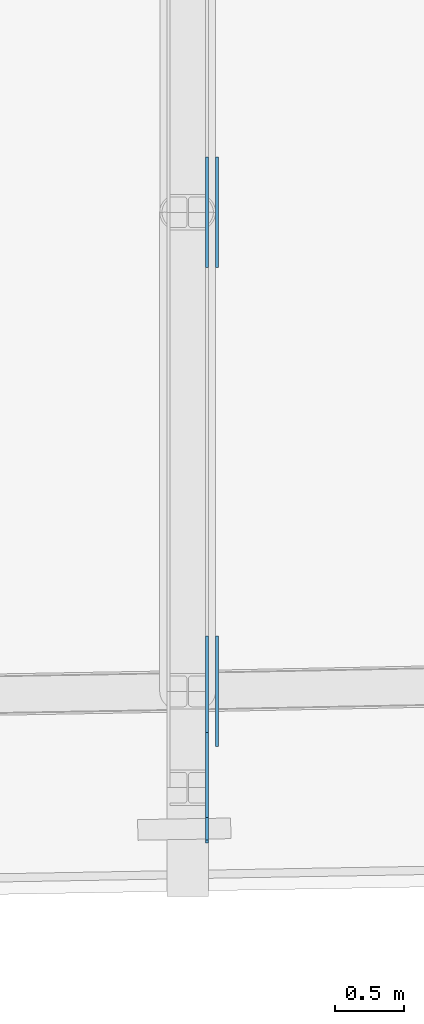
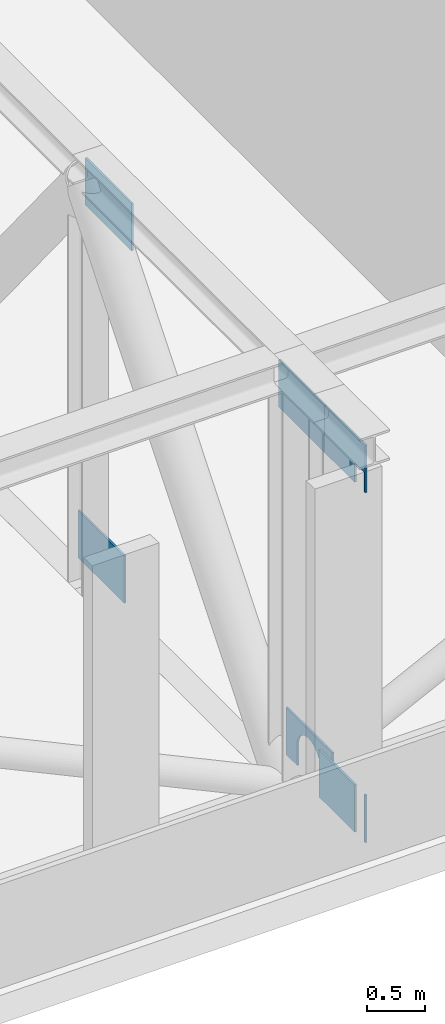
# One storey, part 16 of 26: 7 discrete accessories.
"""IFC4 building model written with IfcOpenShell, lengths in metres."""

from ifc_helpers import new_model, si_unit, direction, frame, origin, place, context, subcontext, project, spatial, polyline, outline, extrude, material, layer, layer_set, type_object, element, save


model = new_model("IFC4")

# Units and contexts
model_context = context("Model", 3, precision=1e-05, world=origin(), true_north=direction((0.0, 1.0)))
body_context = subcontext(model_context, "Body", "Model", "MODEL_VIEW")
ifc_project = project(units=[si_unit("LENGTHUNIT", "METRE"), si_unit("AREAUNIT", "SQUARE_METRE"), si_unit("VOLUMEUNIT", "CUBIC_METRE"), si_unit("PLANEANGLEUNIT", "RADIAN"), si_unit("MASSUNIT", "GRAM", prefix="KILO")], contexts=[model_context])

# Site, building, storey
site_placement = place(None, origin())
site = spatial("IfcSite", under=ifc_project, at=site_placement, CompositionType="ELEMENT")
building_placement = place(site_placement, origin())
building = spatial("IfcBuilding", under=site, at=building_placement, Name="Kajstack Hotel Tower", CompositionType="ELEMENT")
storey_placement = place(building_placement, frame((0.0, 0.0, 257.300048828125)))
storey = spatial("IfcBuildingStorey", under=building, at=storey_placement, Name="L64", CompositionType="ELEMENT", Elevation=257.300048828125)

# Discrete accessories
ifc_material = material(Name="Steel S355J2", Category="steel")
ifc_layer = layer(ifc_material, 0.02001953125)
ifc_layer_set = layer_set([ifc_layer], Name="GUSSET PLATE")
discrete_accessory_type = type_object("IfcDiscreteAccessoryType", Name="GUSSET PLATE", PredefinedType="BRACKET", material=ifc_layer_set)
discrete_accessory_1_placement = place(storey_placement, frame((0.1298828125, -19.10546875, 0.0), z_axis=(1.0, 0.0, 0.0), x_axis=(0.0, 1.0, 0.0)))
element("IfcDiscreteAccessory", 1, at=discrete_accessory_1_placement, inside=storey, type_object=discrete_accessory_type, Name="Gusset plate L64-689", PredefinedType="BRACKET", context=body_context, shape_type="SweptSolid", body=[
    extrude(outline(polyline([(0.39990234375, 0.5), (-0.217529296875, 0.5), (-0.217529296875, 0.0), (0.39990234375, 0.0), (0.39990234375, 0.5)])), origin(), (0.0, 0.0, 1.0), 0.02001953125),
])
discrete_accessory_2_placement = place(storey_placement, frame((0.1298828125, -19.10546875, 0.0), z_axis=(1.0, 0.0, 0.0), x_axis=(0.0, 1.0, 0.0)))
element("IfcDiscreteAccessory", 2, at=discrete_accessory_2_placement, inside=storey, type_object=discrete_accessory_type, Name="Gusset plate L64-690", PredefinedType="BRACKET", context=body_context, shape_type="SweptSolid", body=[
    extrude(outline(polyline([(-0.39990234375, 0.0), (-0.377685546875, 0.0), (-0.377685546875, 0.5), (-0.39990234375, 0.5), (-0.39990234375, 0.0)])), origin(), (0.0, 0.0, 1.0), 0.02001953125),
])
discrete_accessory_3_placement = place(storey_placement, frame((0.1298828125, -19.10546875, 3.699951171875), z_axis=(1.0, 0.0, 0.0), x_axis=(0.0, 1.0, 0.0)))
element("IfcDiscreteAccessory", 3, at=discrete_accessory_3_placement, inside=storey, type_object=discrete_accessory_type, Name="Gusset plate L64-691", PredefinedType="BRACKET", context=body_context, shape_type="SweptSolid", body=[
    extrude(outline(polyline([(-0.39990234375, 0.0), (-0.377685546875, 0.0), (-0.377685546875, 0.205078125), (-0.217529296875, 0.205078125), (-0.217529296875, 0.0), (0.39990234375, 0.0), (0.39990234375, 0.5), (-0.39990234375, 0.5), (-0.39990234375, 0.0)])), origin(), (0.0, 0.0, 1.0), 0.02001953125),
])
discrete_accessory_4_placement = place(storey_placement, frame((0.203125, -18.405517578125, 0.0), z_axis=(1.0, 0.0, 0.0), x_axis=(0.0, 1.0, 0.0)))
element("IfcDiscreteAccessory", 4, at=discrete_accessory_4_placement, inside=storey, type_object=discrete_accessory_type, Name="Gusset plate L64-692", PredefinedType="BRACKET", context=body_context, shape_type="SweptSolid", body=[
    extrude(outline(polyline([(-0.39990234375, 0.0), (-0.202880859375, 0.0), (-0.192626953125, 0.231689453125), (-0.183349609375, 0.2705078125), (-0.16650390625, 0.306396484375), (-0.14306640625, 0.338623046875), (-0.129150390625, 0.352783203125), (-0.11376953125, 0.36572265625), (-0.079833984375, 0.386474609375), (-0.04248046875, 0.400146484375), (-0.003173828125, 0.40625), (0.0166015625, 0.406494140625), (0.03662109375, 0.404541015625), (0.0751953125, 0.395263671875), (0.09375, 0.3876953125), (0.1279296875, 0.36767578125), (0.15771484375, 0.341064453125), (0.17041015625, 0.32568359375), (0.191162109375, 0.291748046875), (0.204833984375, 0.25439453125), (0.211181640625, 0.215087890625), (0.203125, 0.0), (0.39990234375, 0.0), (0.39990234375, 0.5), (-0.39990234375, 0.5), (-0.39990234375, 0.0)])), origin(), (0.0, 0.0, 1.0), 0.02001953125),
])
for number, where, z_axis, x_axis, name in (
    (5, (0.1298828125, -18.405517578125, 3.699951171875), (1.0, 0.0, 0.0), (0.0, 1.0, 0.0), "Gusset plate L64-693"),
    (6, (0.1298828125, -14.92919921875, 0.0), (1.0, 0.0, 0.0), (0.0, 1.0, 0.0), "Gusset plate L64-694"),
    (7, (0.203125, -14.92919921875, 3.699951171875), (1.0, 0.0, 0.0), (0.0, 1.0, 0.0), "Gusset plate L64-695"),
):
    element("IfcDiscreteAccessory", number, at=place(storey_placement, frame(where, z_axis=z_axis, x_axis=x_axis)), inside=storey, type_object=discrete_accessory_type, Name=name, PredefinedType="BRACKET", context=body_context, shape_type="SweptSolid", body=[
        extrude(outline(polyline([(-0.39990234375, 0.0), (0.39990234375, 0.0), (0.39990234375, 0.5), (-0.39990234375, 0.5), (-0.39990234375, 0.0)])), origin(), (0.0, 0.0, 1.0), 0.02001953125),
    ])

save(model, "model.ifc")
